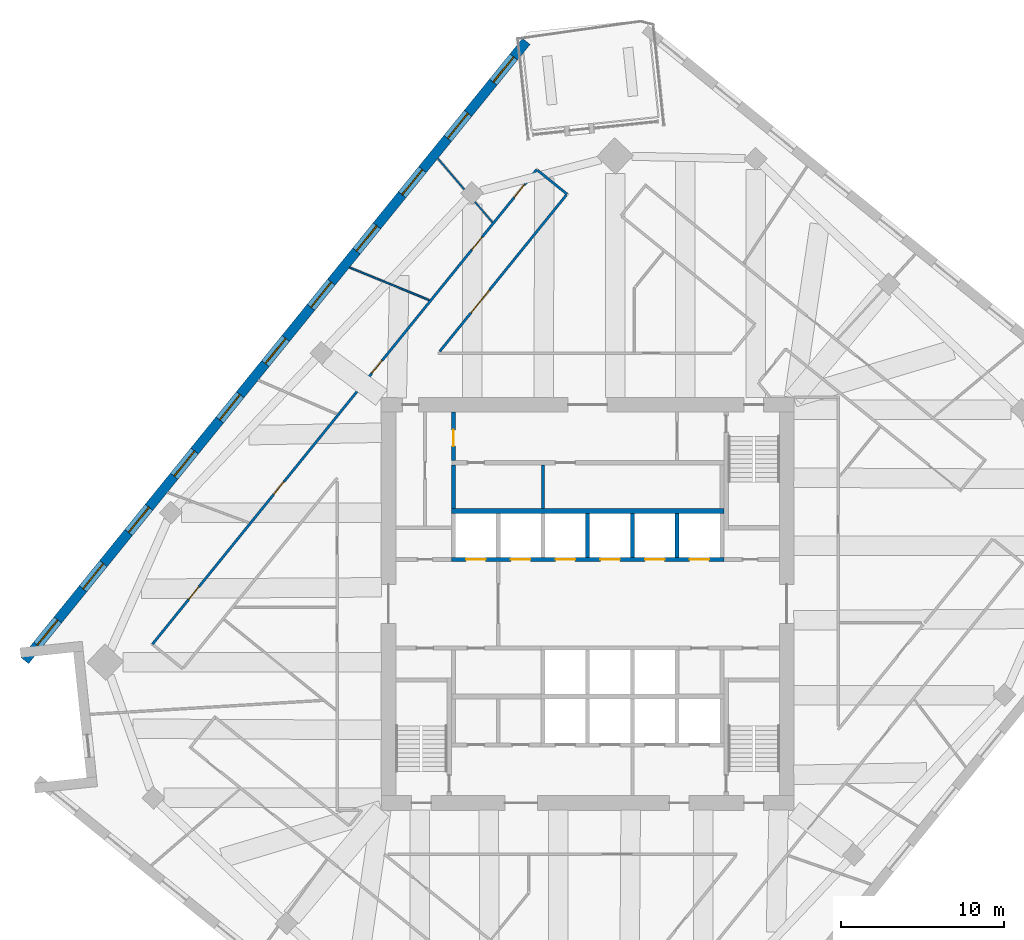
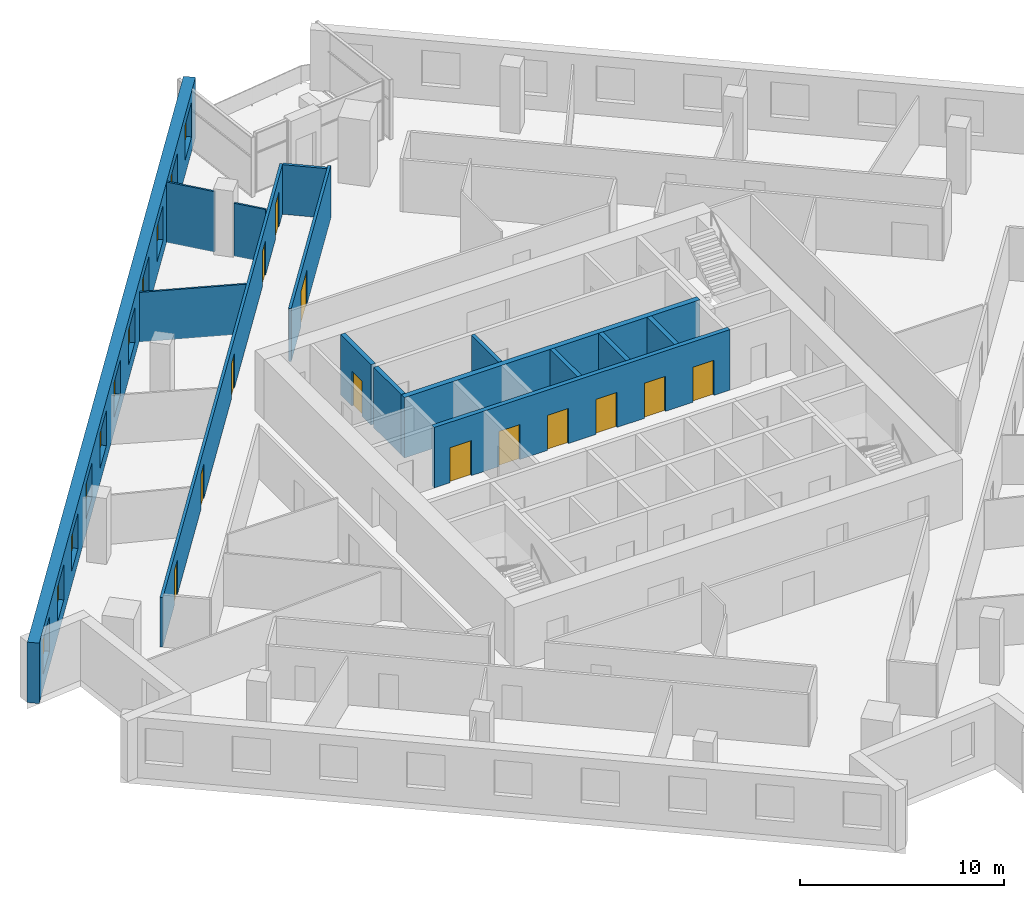
# One storey, part 10 of 14: 15 walls, 13 doors, 11 windows, 24 openings.
"""IFC4 building model written with IfcOpenShell, lengths in metres."""

from ifc_helpers import new_model, si_unit, direction, frame, frame_2d, origin, place, context, subcontext, project, spatial, rectangle, extrude, material, layer, layer_set, type_object, element, fill, save


model = new_model("IFC4")

# Units and contexts
model_context = context("Model", 3, precision=1e-05, world=origin(), true_north=direction((0.0, 1.0)))
body_context = subcontext(model_context, "Body", "Model", "MODEL_VIEW")
ifc_project = project(units=[si_unit("LENGTHUNIT", "METRE"), si_unit("AREAUNIT", "SQUARE_METRE"), si_unit("VOLUMEUNIT", "CUBIC_METRE"), si_unit("PLANEANGLEUNIT", "RADIAN"), si_unit("MASSUNIT", "GRAM", prefix="KILO")], contexts=[model_context])

# Site, building, storey
site_placement = place(None, origin())
site = spatial("IfcSite", under=ifc_project, at=site_placement, CompositionType="ELEMENT")
building_placement = place(site_placement, origin())
building = spatial("IfcBuilding", under=site, at=building_placement, Name="Dilmun Exchange Tower", CompositionType="ELEMENT")
storey_placement = place(building_placement, frame((0.0, 0.0, 225.300048828125)))
storey = spatial("IfcBuildingStorey", under=building, at=storey_placement, Name="L53", CompositionType="ELEMENT", Elevation=225.300048828125)

# Walls
ifc_material_1 = material(Name="Concrete C40/50", Category="concrete")
ifc_layer_1 = layer(ifc_material_1, 0.199951171875)
ifc_layer_set_1 = layer_set([ifc_layer_1], Name="Concrete C40/50")
wall_type_1 = type_object("IfcWallType", Name="Core partition wall 200", PredefinedType="PARTITIONING", material=ifc_layer_set_1)
wall_1_placement = place(storey_placement, frame((-2.75, 5.85498046875, 0.0), z_axis=(0.0, 0.0, 1.0), x_axis=(0.0, 1.0, 0.0)))
element("IfcWall", 1, at=wall_1_placement, inside=storey, type_object=wall_type_1, Name="L53 core partition wall 16", PredefinedType="PARTITIONING", context=body_context, shape_type="SweptSolid", body=[
    extrude(rectangle(XDim=2.68994140625, YDim=0.199951171875, at=frame_2d((1.344970703125, 0.0))), origin(), (0.0, 0.0, 1.0), 3.619873046875),
])
ifc_layer_2 = layer(ifc_material_1, 0.25)
ifc_layer_set_2 = layer_set([ifc_layer_2], Name="Concrete C40/50")
wall_type_2 = type_object("IfcWallType", Name="Core partition wall 250", PredefinedType="PARTITIONING", material=ifc_layer_set_2)
wall_2_placement = place(storey_placement, frame((-8.25, 5.85498046875, 0.0), z_axis=(0.0, 0.0, 1.0), x_axis=(0.0, 1.0, 0.0)))
element("IfcWall", 2, at=wall_2_placement, inside=storey, type_object=wall_type_2, Name="L53 core partition wall 15", PredefinedType="PARTITIONING", context=body_context, shape_type="SweptSolid", body=[
    extrude(rectangle(XDim=2.68994140625, YDim=0.25, at=frame_2d((1.344970703125, 0.0))), origin(), (0.0, 0.0, 1.0), 3.619873046875),
])

# Wall, opening, door
wall_3_placement = place(storey_placement, frame((-8.25, 8.804931640625, 0.0), z_axis=(0.0, 0.0, 1.0), x_axis=(0.0, 1.0, 0.0)))
wall_3 = element("IfcWall", 3, at=wall_3_placement, inside=storey, type_object=wall_type_2, Name="L53 core partition wall 19", PredefinedType="PARTITIONING", context=body_context, shape_type="SweptSolid", body=[
    extrude(rectangle(XDim=2.989990234375, YDim=0.25, at=frame_2d((1.4951171875, 0.0))), origin(), (0.0, 0.0, 1.0), 3.619873046875),
])
opening_1_placement = place(wall_3_placement, frame((0.89501953125, 0.0, 0.0)))
opening_1 = element("IfcOpeningElement", 4, at=opening_1_placement, cuts=wall_3, Name="Opening CD4", PredefinedType="OPENING", context=body_context, shape_type="SweptSolid", body=[
    extrude(rectangle(XDim=1.0, YDim=2.10009765625, at=frame_2d((0.5, 1.050048828125))), frame((0.0, 0.135009765625, 0.0), z_axis=(0.0, -1.0, 0.0), x_axis=(1.0, 0.0, 0.0)), (0.0, 0.0, 1.0), 0.27001953125),
])
ifc_material_2 = material(Name="Fire-rated steel door set", Category="steel")
door_type_1 = type_object("IfcDoorType", Name="Core room door 1000x2100", OperationType="SINGLE_SWING_LEFT", PredefinedType="DOOR", material=ifc_material_2)
door_1_placement = place(opening_1_placement, origin())
door_1 = element("IfcDoor", 5, at=door_1_placement, inside=storey, type_object=door_type_1, Name="L53 door Security room", OperationType="SINGLE_SWING_RIGHT", OverallHeight=2.10009765625, OverallWidth=1.0, PredefinedType="DOOR", context=body_context, shape_type="SweptSolid", body=[
    extrude(rectangle(XDim=1.0, YDim=2.10009765625, at=frame_2d((0.5, 1.050048828125))), frame((0.0, 0.02490234375, 0.0), z_axis=(0.0, -1.0, 0.0), x_axis=(1.0, 0.0, 0.0)), (0.0, 0.0, 1.0), 0.050048828125),
])
fill(opening_1, door_1)

# Wall, openings, doors
ifc_material_3 = material(Name="Corridor wall 150")
ifc_layer_3 = layer(ifc_material_3, 0.14990234375)
ifc_layer_set_3 = layer_set([ifc_layer_3], Name="Corridor wall 150")
wall_type_3 = type_object("IfcWallType", Name="Corridor wall 150", PredefinedType="PARTITIONING", material=ifc_layer_set_3)
wall_4_placement = place(storey_placement, frame((-26.76904296875, -2.487060546875, 0.0), z_axis=(0.0, 0.0, 1.0), x_axis=(0.629320703929, 0.777145708092, 0.0)))
wall_4 = element("IfcWall", 6, at=wall_4_placement, inside=storey, type_object=wall_type_3, Name="Corridor wall", PredefinedType="PARTITIONING", context=body_context, shape_type="SweptSolid", body=[
    extrude(rectangle(XDim=37.557861328125, YDim=0.14990234375, at=frame_2d((18.77880859375, 0.0))), origin(), (0.0, 0.0, 1.0), 2.969970703125),
])
opening_2_placement = place(wall_4_placement, frame((3.550048828125, 0.0, 0.0)))
opening_2 = element("IfcOpeningElement", 7, at=opening_2_placement, cuts=wall_4, Name="Opening TF53-D01", PredefinedType="OPENING", context=body_context, shape_type="SweptSolid", body=[
    extrude(rectangle(XDim=1.0, YDim=2.10009765625, at=frame_2d((0.5, 1.050048828125))), frame((0.0, 0.0849609375, 0.0), z_axis=(0.0, -1.0, 0.0), x_axis=(1.0, 0.0, 0.0)), (0.0, 0.0, 1.0), 0.169921875),
])
opening_3_placement = place(wall_4_placement, frame((11.86181640625, 0.0, 0.0)))
opening_3 = element("IfcOpeningElement", 8, at=opening_3_placement, cuts=wall_4, Name="Opening TF53-D04", PredefinedType="OPENING", context=body_context, shape_type="SweptSolid", body=[
    extrude(rectangle(XDim=1.0, YDim=2.10009765625, at=frame_2d((0.5, 1.050048828125))), frame((0.0, 0.0849609375, 0.0), z_axis=(0.0, -1.0, 0.0), x_axis=(1.0, 0.0, 0.0)), (0.0, 0.0, 1.0), 0.169921875),
])
opening_4_placement = place(wall_4_placement, frame((21.451904296875, 0.0, 0.0)))
opening_4 = element("IfcOpeningElement", 9, at=opening_4_placement, cuts=wall_4, Name="Opening TF53-D07", PredefinedType="OPENING", context=body_context, shape_type="SweptSolid", body=[
    extrude(rectangle(XDim=1.0, YDim=2.10009765625, at=frame_2d((0.5, 1.050048828125))), frame((0.0, 0.0849609375, 0.0), z_axis=(0.0, -1.0, 0.0), x_axis=(1.0, 0.0, 0.0)), (0.0, 0.0, 1.0), 0.169921875),
])
opening_5_placement = place(wall_4_placement, frame((31.223388671875, 0.0, 0.0)))
opening_5 = element("IfcOpeningElement", 10, at=opening_5_placement, cuts=wall_4, Name="Opening TF53-D09", PredefinedType="OPENING", context=body_context, shape_type="SweptSolid", body=[
    extrude(rectangle(XDim=1.0, YDim=2.10009765625, at=frame_2d((0.5, 1.050048828125))), frame((0.0, 0.0849609375, 0.0), z_axis=(0.0, -1.0, 0.0), x_axis=(1.0, 0.0, 0.0)), (0.0, 0.0, 1.0), 0.169921875),
])
opening_6_placement = place(wall_4_placement, frame((35.359375, 0.0, 0.0)))
opening_6 = element("IfcOpeningElement", 11, at=opening_6_placement, cuts=wall_4, Name="Opening TF53-D14", PredefinedType="OPENING", context=body_context, shape_type="SweptSolid", body=[
    extrude(rectangle(XDim=1.0, YDim=2.10009765625, at=frame_2d((0.5, 1.050048828125))), frame((0.0, 0.0849609375, 0.0), z_axis=(0.0, -1.0, 0.0), x_axis=(1.0, 0.0, 0.0)), (0.0, 0.0, 1.0), 0.169921875),
])
ifc_material_4 = material(Name="Fire door 1000 x 2100")
door_type_2 = type_object("IfcDoorType", Name="Fire door 1000 x 2100", OperationType="NOTDEFINED", PredefinedType="DOOR", material=ifc_material_4)
door_2_placement = place(opening_2_placement, origin())
door_2 = element("IfcDoor", 12, at=door_2_placement, inside=storey, type_object=door_type_2, Name="Door TF53-D01", OperationType="SINGLE_SWING_RIGHT", OverallHeight=2.10009765625, OverallWidth=1.0, PredefinedType="DOOR", context=body_context, shape_type="SweptSolid", body=[
    extrude(rectangle(XDim=1.0, YDim=2.10009765625, at=frame_2d((0.5, 1.050048828125))), frame((0.0, 0.02490234375, 0.0), z_axis=(0.0, -1.0, 0.0), x_axis=(1.0, 0.0, 0.0)), (0.0, 0.0, 1.0), 0.050048828125),
])
fill(opening_2, door_2)
door_3_placement = place(opening_3_placement, origin())
door_3 = element("IfcDoor", 13, at=door_3_placement, inside=storey, type_object=door_type_2, Name="Door TF53-D04", OperationType="SINGLE_SWING_LEFT", OverallHeight=2.10009765625, OverallWidth=1.0, PredefinedType="DOOR", context=body_context, shape_type="SweptSolid", body=[
    extrude(rectangle(XDim=1.0, YDim=2.10009765625, at=frame_2d((0.5, 1.050048828125))), frame((0.0, 0.02490234375, 0.0), z_axis=(0.0, -1.0, 0.0), x_axis=(1.0, 0.0, 0.0)), (0.0, 0.0, 1.0), 0.050048828125),
])
fill(opening_3, door_3)
door_4_placement = place(opening_4_placement, origin())
door_4 = element("IfcDoor", 14, at=door_4_placement, inside=storey, type_object=door_type_2, Name="Door TF53-D07", OperationType="SINGLE_SWING_RIGHT", OverallHeight=2.10009765625, OverallWidth=1.0, PredefinedType="DOOR", context=body_context, shape_type="SweptSolid", body=[
    extrude(rectangle(XDim=1.0, YDim=2.10009765625, at=frame_2d((0.5, 1.050048828125))), frame((0.0, 0.02490234375, 0.0), z_axis=(0.0, -1.0, 0.0), x_axis=(1.0, 0.0, 0.0)), (0.0, 0.0, 1.0), 0.050048828125),
])
fill(opening_4, door_4)
door_5_placement = place(opening_5_placement, origin())
door_5 = element("IfcDoor", 15, at=door_5_placement, inside=storey, type_object=door_type_2, Name="Door TF53-D09", OperationType="SINGLE_SWING_RIGHT", OverallHeight=2.10009765625, OverallWidth=1.0, PredefinedType="DOOR", context=body_context, shape_type="SweptSolid", body=[
    extrude(rectangle(XDim=1.0, YDim=2.10009765625, at=frame_2d((0.5, 1.050048828125))), frame((0.0, 0.02490234375, 0.0), z_axis=(0.0, -1.0, 0.0), x_axis=(1.0, 0.0, 0.0)), (0.0, 0.0, 1.0), 0.050048828125),
])
fill(opening_5, door_5)
door_6_placement = place(opening_6_placement, origin())
door_6 = element("IfcDoor", 16, at=door_6_placement, inside=storey, type_object=door_type_2, Name="Door TF53-D14", OperationType="SINGLE_SWING_RIGHT", OverallHeight=2.10009765625, OverallWidth=1.0, PredefinedType="DOOR", context=body_context, shape_type="SweptSolid", body=[
    extrude(rectangle(XDim=1.0, YDim=2.10009765625, at=frame_2d((0.5, 1.050048828125))), frame((0.0, 0.02490234375, 0.0), z_axis=(0.0, -1.0, 0.0), x_axis=(1.0, 0.0, 0.0)), (0.0, 0.0, 1.0), 0.050048828125),
])
fill(opening_6, door_6)

# Wall, opening, door
wall_5_placement = place(storey_placement, frame((-9.09716796875, 15.522216796875, 0.0), z_axis=(0.0, 0.0, 1.0), x_axis=(0.629294773149, 0.777166705725, 0.0)))
wall_5 = element("IfcWall", 17, at=wall_5_placement, inside=storey, type_object=wall_type_3, Name="Corridor wall", PredefinedType="PARTITIONING", context=body_context, shape_type="SweptSolid", body=[
    extrude(rectangle(XDim=12.3662109375, YDim=0.14990234375, at=frame_2d((6.18310546875, 0.0))), origin(), (0.0, 0.0, 1.0), 3.169921875),
])
opening_7_placement = place(wall_5_placement, frame((3.050048828125, 0.0, 0.0)))
opening_7 = element("IfcOpeningElement", 18, at=opening_7_placement, cuts=wall_5, Name="Opening TF53-D13", PredefinedType="OPENING", context=body_context, shape_type="SweptSolid", body=[
    extrude(rectangle(XDim=1.800048828125, YDim=2.10009765625, at=frame_2d((0.89990234375, 1.050048828125))), frame((0.0, 0.0849609375, 0.0), z_axis=(0.0, -1.0, 0.0), x_axis=(1.0, 0.0, 0.0)), (0.0, 0.0, 1.0), 0.169921875),
])
ifc_material_5 = material(Name="Fire door pair 1800 x 2100")
door_type_3 = type_object("IfcDoorType", Name="Fire door pair 1800 x 2100", OperationType="NOTDEFINED", PredefinedType="DOOR", material=ifc_material_5)
door_7_placement = place(opening_7_placement, frame((1.800048828125, 0.0, 0.0), z_axis=(0.0, 0.0, 1.0), x_axis=(-1.0, 0.0, 0.0)))
door_7 = element("IfcDoor", 19, at=door_7_placement, inside=storey, type_object=door_type_3, Name="Door TF53-D13", OperationType="DOUBLE_DOOR_SINGLE_SWING", OverallHeight=2.10009765625, OverallWidth=1.800048828125, PredefinedType="DOOR", context=body_context, shape_type="SweptSolid", body=[
    extrude(rectangle(XDim=1.800048828125, YDim=2.10009765625, at=frame_2d((0.89990234375, 1.050048828125))), frame((0.0, 0.02490234375, 0.0), z_axis=(0.0, -1.0, 0.0), x_axis=(1.0, 0.0, 0.0)), (0.0, 0.0, 1.0), 0.050048828125),
])
fill(opening_7, door_7)

# Walls
wall_6_placement = place(storey_placement, frame((-3.07470703125, 26.65380859375, 0.0), z_axis=(0.0, 0.0, 1.0), x_axis=(0.777166601342, -0.62929490206, 0.0)))
element("IfcWall", 20, at=wall_6_placement, inside=storey, type_object=wall_type_3, Name="Corridor wall", PredefinedType="PARTITIONING", context=body_context, shape_type="SweptSolid", body=[
    extrude(rectangle(XDim=2.32470703125, YDim=0.14990234375, at=frame_2d((1.162353515625, 0.0))), origin(), (0.0, 0.0, 1.0), 2.969970703125),
])
ifc_layer_4 = layer(ifc_material_1, 0.300048828125)
ifc_layer_set_4 = layer_set([ifc_layer_4], Name="Concrete C40/50")
wall_type_4 = type_object("IfcWallType", Name="Lift shaft shared wall 300", PredefinedType="SOLIDWALL", material=ifc_layer_set_4)
wall_7_placement = place(storey_placement, frame((-8.375, 5.699951171875, 0.0), z_axis=(0.0, 0.0, 1.0), x_axis=(1.0, 0.0, 0.0)))
element("IfcWall", 21, at=wall_7_placement, inside=storey, type_object=wall_type_4, Name="L53 lift shaft rear wall N", PredefinedType="SOLIDWALL", context=body_context, shape_type="SweptSolid", body=[
    extrude(rectangle(XDim=16.75, YDim=0.300048828125, at=frame_2d((8.375, 0.0))), origin(), (0.0, 0.0, 1.0), 3.619873046875),
])

# Wall, openings, doors
ifc_layer_5 = layer(ifc_material_1, 0.25)
ifc_layer_set_5 = layer_set([ifc_layer_5], Name="Concrete C40/50")
wall_type_5 = type_object("IfcWallType", Name="Lift shaft wall 250", PredefinedType="SOLIDWALL", material=ifc_layer_set_5)
wall_8_placement = place(storey_placement, frame((-8.375, 2.72509765625, 0.0), z_axis=(0.0, 0.0, 1.0), x_axis=(1.0, 0.0, 0.0)))
wall_8 = element("IfcWall", 22, at=wall_8_placement, inside=storey, type_object=wall_type_5, Name="L53 lift shaft front wall N1", PredefinedType="SOLIDWALL", context=body_context, shape_type="SweptSolid", body=[
    extrude(rectangle(XDim=16.75, YDim=0.25, at=frame_2d((8.375, 0.0))), origin(), (0.0, 0.0, 1.0), 3.619873046875),
])
opening_8_placement = place(wall_8_placement, frame((0.89990234375, 0.0, 0.0)))
opening_8 = element("IfcOpeningElement", 23, at=opening_8_placement, cuts=wall_8, Name="Opening LD", PredefinedType="OPENING", context=body_context, shape_type="SweptSolid", body=[
    extrude(rectangle(XDim=1.199951171875, YDim=2.10009765625, at=frame_2d((0.60009765625, 1.050048828125))), frame((0.0, 0.135009765625, 0.0), z_axis=(0.0, -1.0, 0.0), x_axis=(1.0, 0.0, 0.0)), (0.0, 0.0, 1.0), 0.27001953125),
])
opening_9_placement = place(wall_8_placement, frame((3.64990234375, 0.0, 0.0)))
opening_9 = element("IfcOpeningElement", 24, at=opening_9_placement, cuts=wall_8, Name="Opening LD", PredefinedType="OPENING", context=body_context, shape_type="SweptSolid", body=[
    extrude(rectangle(XDim=1.199951171875, YDim=2.10009765625, at=frame_2d((0.60009765625, 1.050048828125))), frame((0.0, 0.135009765625, 0.0), z_axis=(0.0, -1.0, 0.0), x_axis=(1.0, 0.0, 0.0)), (0.0, 0.0, 1.0), 0.27001953125),
])
opening_10_placement = place(wall_8_placement, frame((6.39990234375, 0.0, 0.0)))
opening_10 = element("IfcOpeningElement", 25, at=opening_10_placement, cuts=wall_8, Name="Opening LD", PredefinedType="OPENING", context=body_context, shape_type="SweptSolid", body=[
    extrude(rectangle(XDim=1.199951171875, YDim=2.10009765625, at=frame_2d((0.60009765625, 1.050048828125))), frame((0.0, 0.135009765625, 0.0), z_axis=(0.0, -1.0, 0.0), x_axis=(1.0, 0.0, 0.0)), (0.0, 0.0, 1.0), 0.27001953125),
])
opening_11_placement = place(wall_8_placement, frame((9.14990234375, 0.0, 0.0)))
opening_11 = element("IfcOpeningElement", 26, at=opening_11_placement, cuts=wall_8, Name="Opening LD", PredefinedType="OPENING", context=body_context, shape_type="SweptSolid", body=[
    extrude(rectangle(XDim=1.199951171875, YDim=2.10009765625, at=frame_2d((0.60009765625, 1.050048828125))), frame((0.0, 0.135009765625, 0.0), z_axis=(0.0, -1.0, 0.0), x_axis=(1.0, 0.0, 0.0)), (0.0, 0.0, 1.0), 0.27001953125),
])
opening_12_placement = place(wall_8_placement, frame((11.89990234375, 0.0, 0.0)))
opening_12 = element("IfcOpeningElement", 27, at=opening_12_placement, cuts=wall_8, Name="Opening LD", PredefinedType="OPENING", context=body_context, shape_type="SweptSolid", body=[
    extrude(rectangle(XDim=1.199951171875, YDim=2.10009765625, at=frame_2d((0.60009765625, 1.050048828125))), frame((0.0, 0.135009765625, 0.0), z_axis=(0.0, -1.0, 0.0), x_axis=(1.0, 0.0, 0.0)), (0.0, 0.0, 1.0), 0.27001953125),
])
opening_13_placement = place(wall_8_placement, frame((14.64990234375, 0.0, 0.0)))
opening_13 = element("IfcOpeningElement", 28, at=opening_13_placement, cuts=wall_8, Name="Opening LD", PredefinedType="OPENING", context=body_context, shape_type="SweptSolid", body=[
    extrude(rectangle(XDim=1.199951171875, YDim=2.10009765625, at=frame_2d((0.60009765625, 1.050048828125))), frame((0.0, 0.135009765625, 0.0), z_axis=(0.0, -1.0, 0.0), x_axis=(1.0, 0.0, 0.0)), (0.0, 0.0, 1.0), 0.27001953125),
])
door_type_4 = type_object("IfcDoorType", Name="Lift landing door 1200x2100", OperationType="DOUBLE_DOOR_SLIDING", PredefinedType="DOOR", material=ifc_material_2)
door_8_placement = place(opening_8_placement, origin())
door_8 = element("IfcDoor", 29, at=door_8_placement, inside=storey, type_object=door_type_4, Name="L53 landing door MR1", OperationType="DOUBLE_DOOR_SLIDING", OverallHeight=2.10009765625, OverallWidth=1.199951171875, PredefinedType="DOOR", context=body_context, shape_type="SweptSolid", body=[
    extrude(rectangle(XDim=1.199951171875, YDim=2.10009765625, at=frame_2d((0.60009765625, 1.050048828125))), frame((0.0, 0.02490234375, 0.0), z_axis=(0.0, -1.0, 0.0), x_axis=(1.0, 0.0, 0.0)), (0.0, 0.0, 1.0), 0.050048828125),
])
fill(opening_8, door_8)
door_9_placement = place(opening_9_placement, origin())
door_9 = element("IfcDoor", 30, at=door_9_placement, inside=storey, type_object=door_type_4, Name="L53 landing door MR2", OperationType="DOUBLE_DOOR_SLIDING", OverallHeight=2.10009765625, OverallWidth=1.199951171875, PredefinedType="DOOR", context=body_context, shape_type="SweptSolid", body=[
    extrude(rectangle(XDim=1.199951171875, YDim=2.10009765625, at=frame_2d((0.60009765625, 1.050048828125))), frame((0.0, 0.02490234375, 0.0), z_axis=(0.0, -1.0, 0.0), x_axis=(1.0, 0.0, 0.0)), (0.0, 0.0, 1.0), 0.050048828125),
])
fill(opening_9, door_9)
door_10_placement = place(opening_10_placement, origin())
door_10 = element("IfcDoor", 31, at=door_10_placement, inside=storey, type_object=door_type_4, Name="L53 landing door MR3", OperationType="DOUBLE_DOOR_SLIDING", OverallHeight=2.10009765625, OverallWidth=1.199951171875, PredefinedType="DOOR", context=body_context, shape_type="SweptSolid", body=[
    extrude(rectangle(XDim=1.199951171875, YDim=2.10009765625, at=frame_2d((0.60009765625, 1.050048828125))), frame((0.0, 0.02490234375, 0.0), z_axis=(0.0, -1.0, 0.0), x_axis=(1.0, 0.0, 0.0)), (0.0, 0.0, 1.0), 0.050048828125),
])
fill(opening_10, door_10)
door_11_placement = place(opening_11_placement, origin())
door_11 = element("IfcDoor", 32, at=door_11_placement, inside=storey, type_object=door_type_4, Name="L53 landing door MR4", OperationType="DOUBLE_DOOR_SLIDING", OverallHeight=2.10009765625, OverallWidth=1.199951171875, PredefinedType="DOOR", context=body_context, shape_type="SweptSolid", body=[
    extrude(rectangle(XDim=1.199951171875, YDim=2.10009765625, at=frame_2d((0.60009765625, 1.050048828125))), frame((0.0, 0.02490234375, 0.0), z_axis=(0.0, -1.0, 0.0), x_axis=(1.0, 0.0, 0.0)), (0.0, 0.0, 1.0), 0.050048828125),
])
fill(opening_11, door_11)
door_12_placement = place(opening_12_placement, origin())
door_12 = element("IfcDoor", 33, at=door_12_placement, inside=storey, type_object=door_type_4, Name="L53 landing door MR5", OperationType="DOUBLE_DOOR_SLIDING", OverallHeight=2.10009765625, OverallWidth=1.199951171875, PredefinedType="DOOR", context=body_context, shape_type="SweptSolid", body=[
    extrude(rectangle(XDim=1.199951171875, YDim=2.10009765625, at=frame_2d((0.60009765625, 1.050048828125))), frame((0.0, 0.02490234375, 0.0), z_axis=(0.0, -1.0, 0.0), x_axis=(1.0, 0.0, 0.0)), (0.0, 0.0, 1.0), 0.050048828125),
])
fill(opening_12, door_12)
door_13_placement = place(opening_13_placement, origin())
door_13 = element("IfcDoor", 34, at=door_13_placement, inside=storey, type_object=door_type_4, Name="L53 landing door MR6", OperationType="DOUBLE_DOOR_SLIDING", OverallHeight=2.10009765625, OverallWidth=1.199951171875, PredefinedType="DOOR", context=body_context, shape_type="SweptSolid", body=[
    extrude(rectangle(XDim=1.199951171875, YDim=2.10009765625, at=frame_2d((0.60009765625, 1.050048828125))), frame((0.0, 0.02490234375, 0.0), z_axis=(0.0, -1.0, 0.0), x_axis=(1.0, 0.0, 0.0)), (0.0, 0.0, 1.0), 0.050048828125),
])
fill(opening_13, door_13)

# Walls
for number, where, z_axis, x_axis, name in (
    (35, (0.0, 2.85009765625, 0.0), (0.0, 0.0, 1.0), (0.0, 1.0, 0.0), "L53 lift shaft divider N13"),
    (36, (2.75, 2.85009765625, 0.0), (0.0, 0.0, 1.0), (0.0, 1.0, 0.0), "L53 lift shaft divider N14"),
    (37, (5.5, 2.85009765625, 0.0), (0.0, 0.0, 1.0), (0.0, 1.0, 0.0), "L53 lift shaft divider N15"),
):
    element("IfcWall", number, at=place(storey_placement, frame(where, z_axis=z_axis, x_axis=x_axis)), inside=storey, type_object=wall_type_5, Name=name, PredefinedType="SOLIDWALL", context=body_context, shape_type="SweptSolid", body=[
        extrude(rectangle(XDim=2.699951171875, YDim=0.25, at=frame_2d((1.35009765625, 0.0))), origin(), (0.0, 0.0, 1.0), 3.619873046875),
    ])
ifc_material_6 = material(Name="Partition 100")
ifc_layer_6 = layer(ifc_material_6, 0.10009765625)
ifc_layer_set_6 = layer_set([ifc_layer_6], Name="Partition 100")
wall_type_6 = type_object("IfcWallType", Name="Partition 100", PredefinedType="PARTITIONING", material=ifc_layer_set_6)
wall_9_placement = place(storey_placement, frame((-14.64501953125, 20.683837890625, 0.0), z_axis=(0.0, 0.0, 1.0), x_axis=(0.925219687535, -0.379431851321, 0.0)))
element("IfcWall", 38, at=wall_9_placement, inside=storey, type_object=wall_type_6, Name="Partition", PredefinedType="PARTITIONING", context=body_context, shape_type="SweptSolid", body=[
    extrude(rectangle(XDim=5.29345703125, YDim=0.10009765625, at=frame_2d((2.646728515625, 0.0))), origin(), (0.0, 0.0, 1.0), 2.969970703125),
])
wall_10_placement = place(storey_placement, frame((-9.217041015625, 27.38671875, 0.0), z_axis=(0.0, 0.0, 1.0), x_axis=(0.649924567032, -0.75999872182, 0.0)))
element("IfcWall", 39, at=wall_10_placement, inside=storey, type_object=wall_type_6, Name="Partition", PredefinedType="PARTITIONING", context=body_context, shape_type="SweptSolid", body=[
    extrude(rectangle(XDim=2.50634765625, YDim=0.10009765625, at=frame_2d((1.253173828125, 0.0))), origin(), (0.0, 0.0, 1.0), 3.619873046875),
])
wall_11_placement = place(storey_placement, frame((-6.9345703125, 24.71728515625, 0.0), z_axis=(0.0, 0.0, 1.0), x_axis=(0.650047373703, -0.759893684631, 0.0)))
element("IfcWall", 40, at=wall_11_placement, inside=storey, type_object=wall_type_6, Name="Partition", PredefinedType="PARTITIONING", context=body_context, shape_type="SweptSolid", body=[
    extrude(rectangle(XDim=1.649169921875, YDim=0.10009765625, at=frame_2d((0.82470703125, 0.0))), origin(), (0.0, 0.0, 1.0), 3.169921875),
])

# Wall, openings, windows
ifc_material_7 = material(Name="Precast concrete C50/60", Category="concrete")
ifc_layer_7 = layer(ifc_material_7, 0.60009765625)
ifc_layer_set_7 = layer_set([ifc_layer_7], Name="Precast concrete C50/60")
wall_type_7 = type_object("IfcWallType", Name="Precast stone-clad wall 600", PredefinedType="STANDARD", material=ifc_layer_set_7)
wall_12_placement = place(storey_placement, frame((-3.777099609375, 34.584228515625, 0.0), z_axis=(0.0, 0.0, 1.0), x_axis=(-0.629323778295, -0.777143218508, 0.0)))
wall_12 = element("IfcWall", 41, at=wall_12_placement, inside=storey, type_object=wall_type_7, Name="Facade wall L53-03", PredefinedType="STANDARD", context=body_context, shape_type="SweptSolid", body=[
    extrude(rectangle(XDim=49.0, YDim=0.60009765625, at=frame_2d((24.5, 0.0))), origin(), (0.0, 0.0, 1.0), 3.619873046875),
])
opening_14_placement = place(wall_12_placement, frame((1.227294921875, 0.0, 0.89990234375)))
opening_14 = element("IfcOpeningElement", 42, at=opening_14_placement, cuts=wall_12, Name="Opening W200-210", PredefinedType="OPENING", context=body_context, shape_type="SweptSolid", body=[
    extrude(rectangle(XDim=2.0, YDim=2.10009765625, at=frame_2d((1.0, 1.050048828125))), frame((0.0, 0.31005859375, 0.0), z_axis=(0.0, -1.0, 0.0), x_axis=(1.0, 0.0, 0.0)), (0.0, 0.0, 1.0), 0.6201171875),
])
opening_15_placement = place(wall_12_placement, frame((5.681884765625, 0.0, 0.89990234375)))
opening_15 = element("IfcOpeningElement", 43, at=opening_15_placement, cuts=wall_12, Name="Opening W200-210", PredefinedType="OPENING", context=body_context, shape_type="SweptSolid", body=[
    extrude(rectangle(XDim=2.0, YDim=2.10009765625, at=frame_2d((1.0, 1.050048828125))), frame((0.0, 0.31005859375, 0.0), z_axis=(0.0, -1.0, 0.0), x_axis=(1.0, 0.0, 0.0)), (0.0, 0.0, 1.0), 0.6201171875),
])
opening_16_placement = place(wall_12_placement, frame((10.136474609375, 0.0, 0.89990234375)))
opening_16 = element("IfcOpeningElement", 44, at=opening_16_placement, cuts=wall_12, Name="Opening W200-210", PredefinedType="OPENING", context=body_context, shape_type="SweptSolid", body=[
    extrude(rectangle(XDim=2.0, YDim=2.10009765625, at=frame_2d((1.0, 1.050048828125))), frame((0.0, 0.31005859375, 0.0), z_axis=(0.0, -1.0, 0.0), x_axis=(1.0, 0.0, 0.0)), (0.0, 0.0, 1.0), 0.6201171875),
])
opening_17_placement = place(wall_12_placement, frame((14.5908203125, 0.0, 0.89990234375)))
opening_17 = element("IfcOpeningElement", 45, at=opening_17_placement, cuts=wall_12, Name="Opening W200-210", PredefinedType="OPENING", context=body_context, shape_type="SweptSolid", body=[
    extrude(rectangle(XDim=2.0, YDim=2.10009765625, at=frame_2d((1.0, 1.050048828125))), frame((0.0, 0.31005859375, 0.0), z_axis=(0.0, -1.0, 0.0), x_axis=(1.0, 0.0, 0.0)), (0.0, 0.0, 1.0), 0.6201171875),
])
opening_18_placement = place(wall_12_placement, frame((19.04541015625, 0.0, 0.89990234375)))
opening_18 = element("IfcOpeningElement", 46, at=opening_18_placement, cuts=wall_12, Name="Opening W200-210", PredefinedType="OPENING", context=body_context, shape_type="SweptSolid", body=[
    extrude(rectangle(XDim=2.0, YDim=2.10009765625, at=frame_2d((1.0, 1.050048828125))), frame((0.0, 0.31005859375, 0.0), z_axis=(0.0, -1.0, 0.0), x_axis=(1.0, 0.0, 0.0)), (0.0, 0.0, 1.0), 0.6201171875),
])
opening_19_placement = place(wall_12_placement, frame((23.5, 0.0, 0.89990234375)))
opening_19 = element("IfcOpeningElement", 47, at=opening_19_placement, cuts=wall_12, Name="Opening W200-210", PredefinedType="OPENING", context=body_context, shape_type="SweptSolid", body=[
    extrude(rectangle(XDim=2.0, YDim=2.10009765625, at=frame_2d((1.0, 1.050048828125))), frame((0.0, 0.31005859375, 0.0), z_axis=(0.0, -1.0, 0.0), x_axis=(1.0, 0.0, 0.0)), (0.0, 0.0, 1.0), 0.6201171875),
])
opening_20_placement = place(wall_12_placement, frame((27.95458984375, 0.0, 0.89990234375)))
opening_20 = element("IfcOpeningElement", 48, at=opening_20_placement, cuts=wall_12, Name="Opening W200-210", PredefinedType="OPENING", context=body_context, shape_type="SweptSolid", body=[
    extrude(rectangle(XDim=2.0, YDim=2.10009765625, at=frame_2d((1.0, 1.050048828125))), frame((0.0, 0.31005859375, 0.0), z_axis=(0.0, -1.0, 0.0), x_axis=(1.0, 0.0, 0.0)), (0.0, 0.0, 1.0), 0.6201171875),
])
opening_21_placement = place(wall_12_placement, frame((32.4091796875, 0.0, 0.89990234375)))
opening_21 = element("IfcOpeningElement", 49, at=opening_21_placement, cuts=wall_12, Name="Opening W200-210", PredefinedType="OPENING", context=body_context, shape_type="SweptSolid", body=[
    extrude(rectangle(XDim=2.0, YDim=2.10009765625, at=frame_2d((1.0, 1.050048828125))), frame((0.0, 0.31005859375, 0.0), z_axis=(0.0, -1.0, 0.0), x_axis=(1.0, 0.0, 0.0)), (0.0, 0.0, 1.0), 0.6201171875),
])
opening_22_placement = place(wall_12_placement, frame((36.863525390625, 0.0, 0.89990234375)))
opening_22 = element("IfcOpeningElement", 50, at=opening_22_placement, cuts=wall_12, Name="Opening W200-210", PredefinedType="OPENING", context=body_context, shape_type="SweptSolid", body=[
    extrude(rectangle(XDim=2.0, YDim=2.10009765625, at=frame_2d((1.0, 1.050048828125))), frame((0.0, 0.31005859375, 0.0), z_axis=(0.0, -1.0, 0.0), x_axis=(1.0, 0.0, 0.0)), (0.0, 0.0, 1.0), 0.6201171875),
])
opening_23_placement = place(wall_12_placement, frame((41.318115234375, 0.0, 0.89990234375)))
opening_23 = element("IfcOpeningElement", 51, at=opening_23_placement, cuts=wall_12, Name="Opening W200-210", PredefinedType="OPENING", context=body_context, shape_type="SweptSolid", body=[
    extrude(rectangle(XDim=2.0, YDim=2.10009765625, at=frame_2d((1.0, 1.050048828125))), frame((0.0, 0.31005859375, 0.0), z_axis=(0.0, -1.0, 0.0), x_axis=(1.0, 0.0, 0.0)), (0.0, 0.0, 1.0), 0.6201171875),
])
opening_24_placement = place(wall_12_placement, frame((45.772705078125, 0.0, 0.89990234375)))
opening_24 = element("IfcOpeningElement", 52, at=opening_24_placement, cuts=wall_12, Name="Opening W200-210", PredefinedType="OPENING", context=body_context, shape_type="SweptSolid", body=[
    extrude(rectangle(XDim=2.0, YDim=2.10009765625, at=frame_2d((1.0, 1.050048828125))), frame((0.0, 0.31005859375, 0.0), z_axis=(0.0, -1.0, 0.0), x_axis=(1.0, 0.0, 0.0)), (0.0, 0.0, 1.0), 0.6201171875),
])
ifc_material_8 = material(Name="Clear low-emissivity glass in aluminium frame", Category="aluminium")
window_type = type_object("IfcWindowType", Name="Punched window 2000 x 2100", PartitioningType="DOUBLE_PANEL_VERTICAL", PredefinedType="WINDOW", material=ifc_material_8)
window_1_placement = place(opening_14_placement, origin())
window_1 = element("IfcWindow", 53, at=window_1_placement, inside=storey, type_object=window_type, Name="Window 4.1", OverallHeight=2.10009765625, OverallWidth=2.0, PartitioningType="SINGLE_PANEL", PredefinedType="WINDOW", context=body_context, shape_type="SweptSolid", body=[
    extrude(rectangle(XDim=2.0, YDim=2.10009765625, at=frame_2d((1.0, 1.050048828125))), frame((0.0, 0.030029296875, 0.0), z_axis=(0.0, -1.0, 0.0), x_axis=(1.0, 0.0, 0.0)), (0.0, 0.0, 1.0), 0.06005859375),
])
fill(opening_14, window_1)
window_2_placement = place(opening_15_placement, origin())
window_2 = element("IfcWindow", 54, at=window_2_placement, inside=storey, type_object=window_type, Name="Window 4.2", OverallHeight=2.10009765625, OverallWidth=2.0, PartitioningType="SINGLE_PANEL", PredefinedType="WINDOW", context=body_context, shape_type="SweptSolid", body=[
    extrude(rectangle(XDim=2.0, YDim=2.10009765625, at=frame_2d((1.0, 1.050048828125))), frame((0.0, 0.030029296875, 0.0), z_axis=(0.0, -1.0, 0.0), x_axis=(1.0, 0.0, 0.0)), (0.0, 0.0, 1.0), 0.06005859375),
])
fill(opening_15, window_2)
window_3_placement = place(opening_16_placement, origin())
window_3 = element("IfcWindow", 55, at=window_3_placement, inside=storey, type_object=window_type, Name="Window 4.3", OverallHeight=2.10009765625, OverallWidth=2.0, PartitioningType="SINGLE_PANEL", PredefinedType="WINDOW", context=body_context, shape_type="SweptSolid", body=[
    extrude(rectangle(XDim=2.0, YDim=2.10009765625, at=frame_2d((1.0, 1.050048828125))), frame((0.0, 0.030029296875, 0.0), z_axis=(0.0, -1.0, 0.0), x_axis=(1.0, 0.0, 0.0)), (0.0, 0.0, 1.0), 0.06005859375),
])
fill(opening_16, window_3)
window_4_placement = place(opening_17_placement, origin())
window_4 = element("IfcWindow", 56, at=window_4_placement, inside=storey, type_object=window_type, Name="Window 4.4", OverallHeight=2.10009765625, OverallWidth=2.0, PartitioningType="SINGLE_PANEL", PredefinedType="WINDOW", context=body_context, shape_type="SweptSolid", body=[
    extrude(rectangle(XDim=2.0, YDim=2.10009765625, at=frame_2d((1.0, 1.050048828125))), frame((0.0, 0.030029296875, 0.0), z_axis=(0.0, -1.0, 0.0), x_axis=(1.0, 0.0, 0.0)), (0.0, 0.0, 1.0), 0.06005859375),
])
fill(opening_17, window_4)
window_5_placement = place(opening_18_placement, origin())
window_5 = element("IfcWindow", 57, at=window_5_placement, inside=storey, type_object=window_type, Name="Window 4.5", OverallHeight=2.10009765625, OverallWidth=2.0, PartitioningType="SINGLE_PANEL", PredefinedType="WINDOW", context=body_context, shape_type="SweptSolid", body=[
    extrude(rectangle(XDim=2.0, YDim=2.10009765625, at=frame_2d((1.0, 1.050048828125))), frame((0.0, 0.030029296875, 0.0), z_axis=(0.0, -1.0, 0.0), x_axis=(1.0, 0.0, 0.0)), (0.0, 0.0, 1.0), 0.06005859375),
])
fill(opening_18, window_5)
window_6_placement = place(opening_19_placement, origin())
window_6 = element("IfcWindow", 58, at=window_6_placement, inside=storey, type_object=window_type, Name="Window 4.6", OverallHeight=2.10009765625, OverallWidth=2.0, PartitioningType="SINGLE_PANEL", PredefinedType="WINDOW", context=body_context, shape_type="SweptSolid", body=[
    extrude(rectangle(XDim=2.0, YDim=2.10009765625, at=frame_2d((1.0, 1.050048828125))), frame((0.0, 0.030029296875, 0.0), z_axis=(0.0, -1.0, 0.0), x_axis=(1.0, 0.0, 0.0)), (0.0, 0.0, 1.0), 0.06005859375),
])
fill(opening_19, window_6)
window_7_placement = place(opening_20_placement, origin())
window_7 = element("IfcWindow", 59, at=window_7_placement, inside=storey, type_object=window_type, Name="Window 4.7", OverallHeight=2.10009765625, OverallWidth=2.0, PartitioningType="SINGLE_PANEL", PredefinedType="WINDOW", context=body_context, shape_type="SweptSolid", body=[
    extrude(rectangle(XDim=2.0, YDim=2.10009765625, at=frame_2d((1.0, 1.050048828125))), frame((0.0, 0.030029296875, 0.0), z_axis=(0.0, -1.0, 0.0), x_axis=(1.0, 0.0, 0.0)), (0.0, 0.0, 1.0), 0.06005859375),
])
fill(opening_20, window_7)
window_8_placement = place(opening_21_placement, origin())
window_8 = element("IfcWindow", 60, at=window_8_placement, inside=storey, type_object=window_type, Name="Window 4.8", OverallHeight=2.10009765625, OverallWidth=2.0, PartitioningType="SINGLE_PANEL", PredefinedType="WINDOW", context=body_context, shape_type="SweptSolid", body=[
    extrude(rectangle(XDim=2.0, YDim=2.10009765625, at=frame_2d((1.0, 1.050048828125))), frame((0.0, 0.030029296875, 0.0), z_axis=(0.0, -1.0, 0.0), x_axis=(1.0, 0.0, 0.0)), (0.0, 0.0, 1.0), 0.06005859375),
])
fill(opening_21, window_8)
window_9_placement = place(opening_22_placement, origin())
window_9 = element("IfcWindow", 61, at=window_9_placement, inside=storey, type_object=window_type, Name="Window 4.9", OverallHeight=2.10009765625, OverallWidth=2.0, PartitioningType="SINGLE_PANEL", PredefinedType="WINDOW", context=body_context, shape_type="SweptSolid", body=[
    extrude(rectangle(XDim=2.0, YDim=2.10009765625, at=frame_2d((1.0, 1.050048828125))), frame((0.0, 0.030029296875, 0.0), z_axis=(0.0, -1.0, 0.0), x_axis=(1.0, 0.0, 0.0)), (0.0, 0.0, 1.0), 0.06005859375),
])
fill(opening_22, window_9)
window_10_placement = place(opening_23_placement, origin())
window_10 = element("IfcWindow", 62, at=window_10_placement, inside=storey, type_object=window_type, Name="Window 4.10", OverallHeight=2.10009765625, OverallWidth=2.0, PartitioningType="SINGLE_PANEL", PredefinedType="WINDOW", context=body_context, shape_type="SweptSolid", body=[
    extrude(rectangle(XDim=2.0, YDim=2.10009765625, at=frame_2d((1.0, 1.050048828125))), frame((0.0, 0.030029296875, 0.0), z_axis=(0.0, -1.0, 0.0), x_axis=(1.0, 0.0, 0.0)), (0.0, 0.0, 1.0), 0.06005859375),
])
fill(opening_23, window_10)
window_11_placement = place(opening_24_placement, origin())
window_11 = element("IfcWindow", 63, at=window_11_placement, inside=storey, type_object=window_type, Name="Window 4.11", OverallHeight=2.10009765625, OverallWidth=2.0, PartitioningType="SINGLE_PANEL", PredefinedType="WINDOW", context=body_context, shape_type="SweptSolid", body=[
    extrude(rectangle(XDim=2.0, YDim=2.10009765625, at=frame_2d((1.0, 1.050048828125))), frame((0.0, 0.030029296875, 0.0), z_axis=(0.0, -1.0, 0.0), x_axis=(1.0, 0.0, 0.0)), (0.0, 0.0, 1.0), 0.06005859375),
])
fill(opening_24, window_11)

save(model, "model.ifc")
